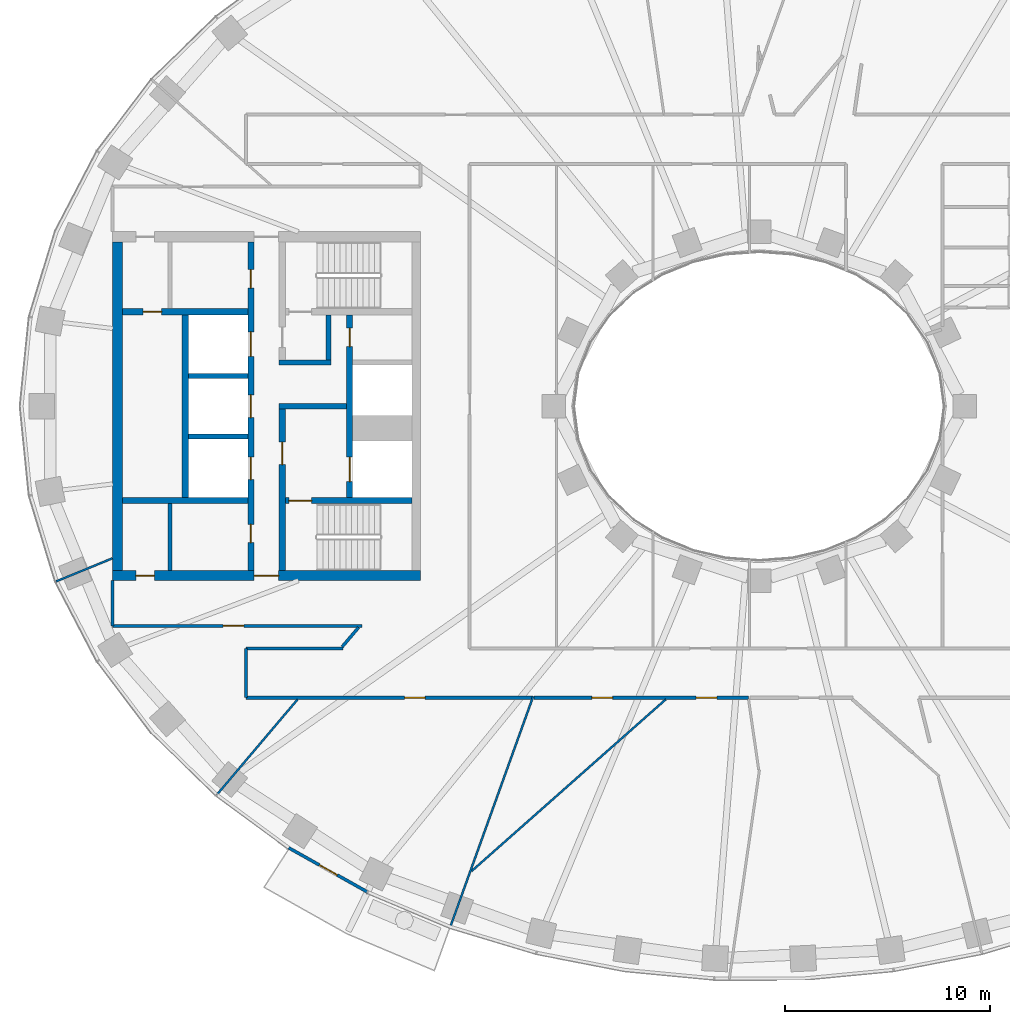
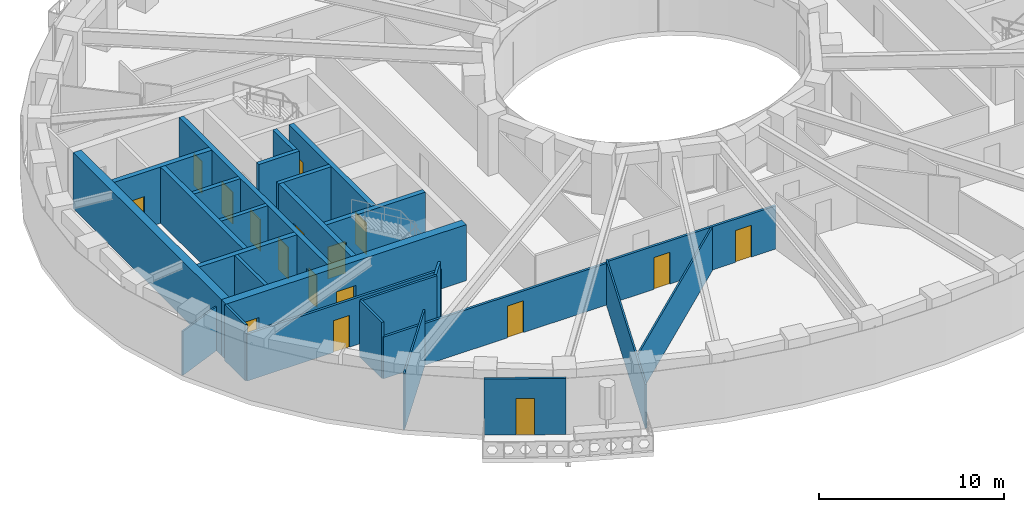
# One storey, part 3 of 15: 27 walls, 17 doors, 17 openings.
"""IFC4 building model written with IfcOpenShell, lengths in metres."""

import ifcopenshell
import ifcopenshell.guid

model = None  # the IFC model being written
_history = None  # IfcOwnerHistory: only IFC2X3 demands one
_inside = {}  # id of a spatial element -> (the spatial element, [elements in it])
_under = {}  # id of a project, library or spatial element -> (it, [spatial elements below it])
_declared = {}  # id of a project -> (the project, [libraries it declares])
_typed = {}  # id of a type object -> (the type object, [elements of that type])
_made_of = {}  # id of a material, layer set ... -> (it, [elements and type objects made of it])


def new_model(schema):
    """Start an empty IFC model of exactly this schema.

    Asked for "IFC4X3", IfcOpenShell would pick the latest addendum, in which some entities
    have other attributes; the version numbers below select the first issue.
    IFC2X3 requires an IfcOwnerHistory on every rooted entity: one is made here for all.
    """
    global model, _history
    if schema == "IFC4X3":
        model = ifcopenshell.file(schema_version=(4, 3, 0, 0))
    else:
        model = ifcopenshell.file(schema=schema)
    _inside.clear()
    _under.clear()
    _declared.clear()
    _typed.clear()
    _made_of.clear()
    _history = None
    if model.schema == "IFC2X3":
        org = make("IfcOrganization", Name="unknown")
        user = make(
            "IfcPersonAndOrganization",
            ThePerson=make("IfcPerson", FamilyName="unknown"),
            TheOrganization=org,
        )
        app = make(
            "IfcApplication",
            ApplicationDeveloper=org,
            Version="unknown",
            ApplicationFullName="unknown",
            ApplicationIdentifier="unknown",
        )
        _history = make(
            "IfcOwnerHistory",
            OwningUser=user,
            OwningApplication=app,
            ChangeAction="ADDED",
            CreationDate=0,
        )
    return model


def make(cls, **values):
    """One entity of the class cls with the attributes given. An attribute that is None is left unset."""
    return model.create_entity(
        cls, **{name: value for name, value in values.items() if value is not None}
    )


def rooted(cls, **values):
    """An entity with a GlobalId (a new one), such as an element, a storey or a relation."""
    return make(cls, GlobalId=ifcopenshell.guid.new(), OwnerHistory=_history, **values)


def si_unit(unit_type, name, prefix=None):
    """IfcSIUnit, for example si_unit("LENGTHUNIT", "METRE", prefix="MILLI")."""
    return make("IfcSIUnit", UnitType=unit_type, Prefix=prefix, Name=name)


def assignment(units):
    """IfcUnitAssignment: the units of a project."""
    return None if units is None else make("IfcUnitAssignment", Units=units)


def point(xyz):
    """IfcCartesianPoint."""
    return None if xyz is None else make("IfcCartesianPoint", Coordinates=xyz)


def direction(xyz):
    """IfcDirection."""
    return None if xyz is None else make("IfcDirection", DirectionRatios=xyz)


def frame(location, z_axis=None, x_axis=None):
    """IfcAxis2Placement3D, a coordinate frame: its origin and axes. An axis left out is left unset."""
    return make(
        "IfcAxis2Placement3D",
        Location=point(location),
        Axis=direction(z_axis),
        RefDirection=direction(x_axis),
    )


def frame_2d(location, x_axis=None):
    """IfcAxis2Placement2D, a coordinate frame in the plane: its origin and x axis."""
    return make(
        "IfcAxis2Placement2D", Location=point(location), RefDirection=direction(x_axis)
    )


def origin():
    """The frame at (0, 0, 0) with its axes left unset."""
    return frame((0.0, 0.0, 0.0))


def place(relative_to, where):
    """IfcLocalPlacement: puts the frame where relative to a parent placement (None: the world)."""
    return make(
        "IfcLocalPlacement", PlacementRelTo=relative_to, RelativePlacement=where
    )


def context(
    kind, dimensions, precision=None, world=None, true_north=None, identifier=None
):
    """IfcGeometricRepresentationContext, for example the 3D "Model" context."""
    return make(
        "IfcGeometricRepresentationContext",
        ContextIdentifier=identifier,
        ContextType=kind,
        CoordinateSpaceDimension=dimensions,
        Precision=precision,
        WorldCoordinateSystem=world,
        TrueNorth=true_north,
    )


def subcontext(parent, identifier, kind, view, scale=None):
    """IfcGeometricRepresentationSubContext, for example "Body" below "Model"."""
    return make(
        "IfcGeometricRepresentationSubContext",
        ContextIdentifier=identifier,
        ContextType=kind,
        ParentContext=parent,
        TargetScale=scale,
        TargetView=view,
    )


def project(units=None, contexts=None):
    """IfcProject with its units and contexts."""
    return rooted(
        "IfcProject",
        Name="project",
        RepresentationContexts=contexts,
        UnitsInContext=assignment(units),
    )


def spatial(cls, under=None, at=None, **own):
    """A site, building, storey or space (cls), placed at a placement, below another one or the project."""
    s = rooted(cls, ObjectPlacement=at, **own)
    if under is not None:
        _under.setdefault(under.id(), (under, []))[1].append(s)
    return s


def profile(cls, at=None, kind="AREA", **sizes):
    """A parametric profile (cls). Its sizes go by their IFC names, for example OverallWidth=200.0."""
    return make(cls, ProfileType=kind, Position=at, **sizes)


def rectangle(**sizes):
    """IfcRectangleProfileDef."""
    return profile("IfcRectangleProfileDef", **sizes)


def extrude(swept, where, along, depth):
    """IfcExtrudedAreaSolid: the profile swept, set in the frame where, extruded along a direction by depth."""
    return make(
        "IfcExtrudedAreaSolid",
        SweptArea=swept,
        Position=where,
        ExtrudedDirection=direction(along),
        Depth=depth,
    )


def shape(context_of_items, identifier, shape_type, items):
    """IfcShapeRepresentation: the items that make up one representation, for example the "Body"."""
    return make(
        "IfcShapeRepresentation",
        ContextOfItems=context_of_items,
        RepresentationIdentifier=identifier,
        RepresentationType=shape_type,
        Items=items,
    )


def material(Name=None, Category=None):
    """IfcMaterial."""
    return make("IfcMaterial", Name=Name, Category=Category)


def layer(
    of_material, thickness, ventilated=None, Name=None, Category=None, Priority=None
):
    """IfcMaterialLayer: one layer of a wall or slab, of a material (None: an air gap)."""
    return make(
        "IfcMaterialLayer",
        Material=of_material,
        LayerThickness=thickness,
        IsVentilated=ventilated,
        Name=Name,
        Category=Category,
        Priority=Priority,
    )


def layer_set(layers, Name=None):
    """IfcMaterialLayerSet."""
    return make("IfcMaterialLayerSet", MaterialLayers=layers, LayerSetName=Name)


def made_of(thing, what):
    """Note that an element or type object is made of a material, layer set ...; save() writes the relation."""
    if what is not None:
        _made_of.setdefault(what.id(), (what, []))[1].append(thing)
    return thing


def type_object(cls, material=None, **own):
    """A type object (cls), such as IfcWallType, which elements share."""
    return made_of(rooted(cls, **own), material)


def element(
    cls,
    number,
    at=None,
    inside=None,
    cuts=None,
    type_object=None,
    material=None,
    context=None,
    identifier="Body",
    shape_type=None,
    held_by="IfcProductDefinitionShape",
    body=None,
    shapes=None,
    **own,
):
    """One element of the class cls, such as IfcWall. Its Tag is "e" and its number.

    at: its placement. inside: the storey or other place that contains it. cuts: it is an
    opening in that element (IfcRelVoidsElement). A single representation is given by context,
    identifier, shape_type and body (its items); several are given by shapes. held_by: the class
    of the entity that holds the representations. save() writes the other relations.
    """
    e = rooted(cls, Tag="e%d" % number, ObjectPlacement=at, **own)
    if body is not None:
        shapes = [shape(context, identifier, shape_type, body)]
    if shapes is not None:
        e.Representation = make(held_by, Representations=shapes)
    if inside is not None:
        _inside.setdefault(inside.id(), (inside, []))[1].append(e)
    if cuts is not None:
        rooted(
            "IfcRelVoidsElement", RelatingBuildingElement=cuts, RelatedOpeningElement=e
        )
    if type_object is not None:
        _typed.setdefault(type_object.id(), (type_object, []))[1].append(e)
    return made_of(e, material)


def fill(opening, filler):
    """IfcRelFillsElement: the door or window that sits in an opening."""
    return rooted(
        "IfcRelFillsElement",
        RelatingOpeningElement=opening,
        RelatedBuildingElement=filler,
    )


def aggregate(whole, parts):
    """IfcRelAggregates: a whole, such as a stair, and the parts it consists of."""
    return rooted("IfcRelAggregates", RelatingObject=whole, RelatedObjects=parts)


def save(model, path):
    """Write the relations noted so far, then the file.

    IfcRelAggregates (storeys below a building ...), IfcRelContainedInSpatialStructure (elements
    in a storey), IfcRelDefinesByType, IfcRelAssociatesMaterial and IfcRelDeclares: one each for
    every whole, place, type object, material and project.
    """
    for whole, parts in _under.values():
        aggregate(whole, parts)
    for where, things in _inside.values():
        rooted(
            "IfcRelContainedInSpatialStructure",
            RelatedElements=things,
            RelatingStructure=where,
        )
    for kind, things in _typed.values():
        rooted("IfcRelDefinesByType", RelatedObjects=things, RelatingType=kind)
    for what, things in _made_of.values():
        rooted("IfcRelAssociatesMaterial", RelatedObjects=things, RelatingMaterial=what)
    for by, libraries in _declared.values():
        rooted("IfcRelDeclares", RelatingContext=by, RelatedDefinitions=libraries)
    model.write(path)


model = new_model("IFC4")

# Units and contexts
model_context = context("Model", 3, precision=1e-05, world=origin(), true_north=direction((0.0, 1.0)))
body_context = subcontext(model_context, "Body", "Model", "MODEL_VIEW")
ifc_project = project(units=[si_unit("LENGTHUNIT", "METRE"), si_unit("AREAUNIT", "SQUARE_METRE"), si_unit("VOLUMEUNIT", "CUBIC_METRE"), si_unit("PLANEANGLEUNIT", "RADIAN"), si_unit("MASSUNIT", "GRAM", prefix="KILO")], contexts=[model_context])

# Site, building, storey
site_placement = place(None, origin())
site = spatial("IfcSite", under=ifc_project, at=site_placement, CompositionType="ELEMENT")
building_placement = place(site_placement, origin())
building = spatial("IfcBuilding", under=site, at=building_placement, Name="Noorbagh Ring Tower", CompositionType="ELEMENT")
storey_placement = place(building_placement, frame((0.0, 0.0, 128.0)))
storey = spatial("IfcBuildingStorey", under=building, at=storey_placement, Name="L29", CompositionType="ELEMENT", Elevation=128.0)

# Walls
ifc_material_1 = material(Name="Gypsum board on steel studs", Category="steel")
ifc_layer_1 = layer(ifc_material_1, 0.199951171875)
ifc_layer_set_1 = layer_set([ifc_layer_1], Name="Gypsum board on steel studs")
wall_type_1 = type_object("IfcWallType", Name="CORE-PARTITION-200", PredefinedType="PARTITIONING", material=ifc_layer_set_1)
wall_1_placement = place(storey_placement, frame((-28.699951171875, -8.0, 0.0), z_axis=(0.0, 0.0, 1.0), x_axis=(0.0, 1.0, 0.0)))
element("IfcWall", 1, at=wall_1_placement, inside=storey, type_object=wall_type_1, Name="Core partition W", PredefinedType="PARTITIONING", context=body_context, shape_type="SweptSolid", body=[
    extrude(rectangle(XDim=3.25, YDim=0.199951171875, at=frame_2d((1.625, 0.0))), origin(), (0.0, 0.0, 1.0), 3.699951171875),
])
ifc_material_2 = material(Name="Concrete C70/85", Category="concrete")
ifc_layer_2 = layer(ifc_material_2, 0.25)
ifc_layer_set_2 = layer_set([ifc_layer_2], Name="Concrete C70/85")
wall_type_2 = type_object("IfcWallType", Name="CORE-WALL-250-C70-85-EI120", PredefinedType="SHEAR", material=ifc_layer_set_2)
for number, where, z_axis, x_axis, name in (
    (2, (-24.89990234375, -1.47509765625, 0.0), (0.0, 0.0, 1.0), (-1.0, 0.0, 0.0), "Core wall W"),
    (3, (-24.89990234375, 1.47509765625, 0.0), (0.0, 0.0, 1.0), (-1.0, 0.0, 0.0), "Core wall W"),
):
    element("IfcWall", number, at=place(storey_placement, frame(where, z_axis=z_axis, x_axis=x_axis)), inside=storey, type_object=wall_type_2, Name=name, PredefinedType="SHEAR", context=body_context, shape_type="SweptSolid", body=[
        extrude(rectangle(XDim=2.900146484375, YDim=0.25, at=frame_2d((1.4501953125, 0.0))), origin(), (0.0, 0.0, 1.0), 3.699951171875),
    ])
ifc_material_3 = material(Name="Concrete C70/85", Category="concrete")
ifc_layer_3 = layer(ifc_material_3, 0.25)
ifc_layer_set_3 = layer_set([ifc_layer_3], Name="Concrete C70/85")
wall_type_3 = type_object("IfcWallType", Name="CORE-WALL-250-C70-85-EI240", PredefinedType="SHEAR", material=ifc_layer_set_3)
wall_2_placement = place(storey_placement, frame((-20.10009765625, 0.0, 0.0), z_axis=(0.0, 0.0, 1.0), x_axis=(-1.0, 0.0, 0.0)))
element("IfcWall", 4, at=wall_2_placement, inside=storey, type_object=wall_type_3, Name="Core wall W", PredefinedType="SHEAR", context=body_context, shape_type="SweptSolid", body=[
    extrude(rectangle(XDim=3.27978515625, YDim=0.25, at=frame_2d((1.639892578125, 0.0))), origin(), (0.0, 0.0, 1.0), 3.699951171875),
])
wall_3_placement = place(storey_placement, frame((-20.85009765625, 2.125, 0.0), z_axis=(0.0, 0.0, 1.0), x_axis=(-1.0, 0.0, 0.0)))
element("IfcWall", 5, at=wall_3_placement, inside=storey, type_object=wall_type_3, Name="Core wall W", PredefinedType="SHEAR", context=body_context, shape_type="SweptSolid", body=[
    extrude(rectangle(XDim=2.52978515625, YDim=0.25, at=frame_2d((1.264892578125, 0.0))), origin(), (0.0, 0.0, 1.0), 3.699951171875),
])
wall_4_placement = place(storey_placement, frame((-20.97509765625, 2.25, 0.0), z_axis=(0.0, 0.0, 1.0), x_axis=(0.0, 1.0, 0.0)))
element("IfcWall", 6, at=wall_4_placement, inside=storey, type_object=wall_type_3, Name="Core wall W", PredefinedType="SHEAR", context=body_context, shape_type="SweptSolid", body=[
    extrude(rectangle(XDim=2.199951171875, YDim=0.25, at=frame_2d((1.10009765625, 0.0))), origin(), (0.0, 0.0, 1.0), 3.699951171875),
])
ifc_material_4 = material(Name="Concrete C70/85", Category="concrete")
ifc_layer_4 = layer(ifc_material_4, 0.300048828125)
ifc_layer_set_4 = layer_set([ifc_layer_4], Name="Concrete C70/85")
wall_type_4 = type_object("IfcWallType", Name="CORE-WALL-300-C70-85-EI120", PredefinedType="SHEAR", material=ifc_layer_set_4)
wall_5_placement = place(storey_placement, frame((-27.949951171875, -4.449951171875, 0.0), z_axis=(0.0, 0.0, 1.0), x_axis=(0.0, 1.0, 0.0)))
element("IfcWall", 7, at=wall_5_placement, inside=storey, type_object=wall_type_4, Name="Core wall W", PredefinedType="SHEAR", context=body_context, shape_type="SweptSolid", body=[
    extrude(rectangle(XDim=8.89990234375, YDim=0.300048828125, at=frame_2d((4.449951171875, 0.0))), origin(), (0.0, 0.0, 1.0), 3.699951171875),
])

# Wall, openings, doors
wall_6_placement = place(storey_placement, frame((-19.949951171875, -4.449951171875, 0.0), z_axis=(0.0, 0.0, 1.0), x_axis=(0.0, 1.0, 0.0)))
wall_6 = element("IfcWall", 8, at=wall_6_placement, inside=storey, type_object=wall_type_4, Name="Core wall W", PredefinedType="SHEAR", context=body_context, shape_type="SweptSolid", body=[
    extrude(rectangle(XDim=8.89990234375, YDim=0.300048828125, at=frame_2d((4.449951171875, 0.0))), origin(), (0.0, 0.0, 1.0), 3.699951171875),
])
opening_1_placement = place(wall_6_placement, frame((0.77490234375, 0.0, 0.0)))
opening_1 = element("IfcOpeningElement", 9, at=opening_1_placement, cuts=wall_6, Name="Opening L29-CW01", PredefinedType="OPENING", context=body_context, shape_type="SweptSolid", body=[
    extrude(rectangle(XDim=1.199951171875, YDim=2.10009765625, at=frame_2d((0.60009765625, 1.050048828125))), frame((0.0, 0.16015625, 0.0), z_axis=(0.0, -1.0, 0.0), x_axis=(1.0, 0.0, 0.0)), (0.0, 0.0, 1.0), 0.320068359375),
])
opening_2_placement = place(wall_6_placement, frame((7.35009765625, 0.0, 0.0)))
opening_2 = element("IfcOpeningElement", 10, at=opening_2_placement, cuts=wall_6, Name="Opening L29-CW11", PredefinedType="OPENING", context=body_context, shape_type="SweptSolid", body=[
    extrude(rectangle(XDim=0.89990234375, YDim=2.10009765625, at=frame_2d((0.449951171875, 1.050048828125))), frame((0.0, 0.16015625, 0.0), z_axis=(0.0, -1.0, 0.0), x_axis=(1.0, 0.0, 0.0)), (0.0, 0.0, 1.0), 0.320068359375),
])
ifc_material_5 = material(Name="Steel door leaf", Category="steel")
door_type_1 = type_object("IfcDoorType", Name="CORE-DOOR-DROOM", OperationType="SINGLE_SWING_LEFT", PredefinedType="DOOR", material=ifc_material_5)
door_1_placement = place(opening_2_placement, origin())
door_1 = element("IfcDoor", 11, at=door_1_placement, inside=storey, type_object=door_type_1, Name="Core room door L29-CW11", OperationType="SINGLE_SWING_LEFT", OverallHeight=2.10009765625, OverallWidth=0.89990234375, PredefinedType="DOOR", context=body_context, shape_type="SweptSolid", body=[
    extrude(rectangle(XDim=0.89990234375, YDim=2.10009765625, at=frame_2d((0.449951171875, 1.050048828125))), frame((0.0, 0.02490234375, 0.0), z_axis=(0.0, -1.0, 0.0), x_axis=(1.0, 0.0, 0.0)), (0.0, 0.0, 1.0), 0.050048828125),
])
fill(opening_2, door_1)
ifc_material_6 = material(Name="Steel door leaf", Category="steel")
door_type_2 = type_object("IfcDoorType", Name="CORE-DOOR-LDW", OperationType="DOUBLE_DOOR_SLIDING", PredefinedType="DOOR", material=ifc_material_6)
door_2_placement = place(opening_1_placement, origin())
door_2 = element("IfcDoor", 12, at=door_2_placement, inside=storey, type_object=door_type_2, Name="Landing door FF1 L29-CW01", OperationType="DOUBLE_DOOR_SLIDING", OverallHeight=2.10009765625, OverallWidth=1.199951171875, PredefinedType="DOOR", context=body_context, shape_type="SweptSolid", body=[
    extrude(rectangle(XDim=1.199951171875, YDim=2.10009765625, at=frame_2d((0.60009765625, 1.050048828125))), frame((0.0, 0.02490234375, 0.0), z_axis=(0.0, -1.0, 0.0), x_axis=(1.0, 0.0, 0.0)), (0.0, 0.0, 1.0), 0.050048828125),
])
fill(opening_1, door_2)

wall_7_placement = place(storey_placement, frame((-24.75, -8.0, 0.0), z_axis=(0.0, 0.0, 1.0), x_axis=(0.0, 1.0, 0.0)))
wall_7 = element("IfcWall", 13, at=wall_7_placement, inside=storey, type_object=wall_type_4, Name="Core wall W", PredefinedType="SHEAR", context=body_context, shape_type="SweptSolid", body=[
    extrude(rectangle(XDim=16.0, YDim=0.300048828125, at=frame_2d((8.0, 0.0))), origin(), (0.0, 0.0, 1.0), 3.699951171875),
])
opening_3_placement = place(wall_7_placement, frame((4.425048828125, 0.0, 0.0)))
opening_3 = element("IfcOpeningElement", 14, at=opening_3_placement, cuts=wall_7, Name="Opening L29-CW02", PredefinedType="OPENING", context=body_context, shape_type="SweptSolid", body=[
    extrude(rectangle(XDim=1.10009765625, YDim=2.10009765625, at=frame_2d((0.550048828125, 1.050048828125))), frame((0.0, 0.16015625, 0.0), z_axis=(0.0, -1.0, 0.0), x_axis=(1.0, 0.0, 0.0)), (0.0, 0.0, 1.0), 0.320068359375),
])
opening_4_placement = place(wall_7_placement, frame((7.449951171875, 0.0, 0.0)))
opening_4 = element("IfcOpeningElement", 15, at=opening_4_placement, cuts=wall_7, Name="Opening L29-CW03", PredefinedType="OPENING", context=body_context, shape_type="SweptSolid", body=[
    extrude(rectangle(XDim=1.10009765625, YDim=2.10009765625, at=frame_2d((0.550048828125, 1.050048828125))), frame((0.0, 0.16015625, 0.0), z_axis=(0.0, -1.0, 0.0), x_axis=(1.0, 0.0, 0.0)), (0.0, 0.0, 1.0), 0.320068359375),
])
opening_5_placement = place(wall_7_placement, frame((10.425048828125, 0.0, 0.0)))
opening_5 = element("IfcOpeningElement", 16, at=opening_5_placement, cuts=wall_7, Name="Opening L29-CW04", PredefinedType="OPENING", context=body_context, shape_type="SweptSolid", body=[
    extrude(rectangle(XDim=1.199951171875, YDim=2.10009765625, at=frame_2d((0.60009765625, 1.050048828125))), frame((0.0, 0.16015625, 0.0), z_axis=(0.0, -1.0, 0.0), x_axis=(1.0, 0.0, 0.0)), (0.0, 0.0, 1.0), 0.320068359375),
])
opening_6_placement = place(wall_7_placement, frame((13.75, 0.0, 0.0)))
opening_6 = element("IfcOpeningElement", 17, at=opening_6_placement, cuts=wall_7, Name="Opening L29-CW12", PredefinedType="OPENING", context=body_context, shape_type="SweptSolid", body=[
    extrude(rectangle(XDim=0.89990234375, YDim=2.10009765625, at=frame_2d((0.449951171875, 1.050048828125))), frame((0.0, 0.16015625, 0.0), z_axis=(0.0, -1.0, 0.0), x_axis=(1.0, 0.0, 0.0)), (0.0, 0.0, 1.0), 0.320068359375),
])
opening_7_placement = place(wall_7_placement, frame((1.35009765625, 0.0, 0.0)))
opening_7 = element("IfcOpeningElement", 18, at=opening_7_placement, cuts=wall_7, Name="Opening L29-CW14", PredefinedType="OPENING", context=body_context, shape_type="SweptSolid", body=[
    extrude(rectangle(XDim=0.89990234375, YDim=2.10009765625, at=frame_2d((0.449951171875, 1.050048828125))), frame((0.0, 0.16015625, 0.0), z_axis=(0.0, -1.0, 0.0), x_axis=(1.0, 0.0, 0.0)), (0.0, 0.0, 1.0), 0.320068359375),
])
door_3_placement = place(opening_6_placement, origin())
door_3 = element("IfcDoor", 19, at=door_3_placement, inside=storey, type_object=door_type_1, Name="Core room door L29-CW12", OperationType="SINGLE_SWING_RIGHT", OverallHeight=2.10009765625, OverallWidth=0.89990234375, PredefinedType="DOOR", context=body_context, shape_type="SweptSolid", body=[
    extrude(rectangle(XDim=0.89990234375, YDim=2.10009765625, at=frame_2d((0.449951171875, 1.050048828125))), frame((0.0, 0.02490234375, 0.0), z_axis=(0.0, -1.0, 0.0), x_axis=(1.0, 0.0, 0.0)), (0.0, 0.0, 1.0), 0.050048828125),
])
fill(opening_6, door_3)
door_4_placement = place(opening_7_placement, origin())
door_4 = element("IfcDoor", 20, at=door_4_placement, inside=storey, type_object=door_type_1, Name="Core room door L29-CW14", OperationType="SINGLE_SWING_LEFT", OverallHeight=2.10009765625, OverallWidth=0.89990234375, PredefinedType="DOOR", context=body_context, shape_type="SweptSolid", body=[
    extrude(rectangle(XDim=0.89990234375, YDim=2.10009765625, at=frame_2d((0.449951171875, 1.050048828125))), frame((0.0, 0.02490234375, 0.0), z_axis=(0.0, -1.0, 0.0), x_axis=(1.0, 0.0, 0.0)), (0.0, 0.0, 1.0), 0.050048828125),
])
fill(opening_7, door_4)
ifc_material_7 = material(Name="Steel door leaf", Category="steel")
door_type_3 = type_object("IfcDoorType", Name="CORE-DOOR-LD", OperationType="DOUBLE_DOOR_SLIDING", PredefinedType="DOOR", material=ifc_material_7)
door_5_placement = place(opening_3_placement, origin())
door_5 = element("IfcDoor", 21, at=door_5_placement, inside=storey, type_object=door_type_3, Name="Landing door LR1 L29-CW02", OperationType="DOUBLE_DOOR_SLIDING", OverallHeight=2.10009765625, OverallWidth=1.10009765625, PredefinedType="DOOR", context=body_context, shape_type="SweptSolid", body=[
    extrude(rectangle(XDim=1.10009765625, YDim=2.10009765625, at=frame_2d((0.550048828125, 1.050048828125))), frame((0.0, 0.02490234375, 0.0), z_axis=(0.0, -1.0, 0.0), x_axis=(1.0, 0.0, 0.0)), (0.0, 0.0, 1.0), 0.050048828125),
])
fill(opening_3, door_5)
door_6_placement = place(opening_4_placement, origin())
door_6 = element("IfcDoor", 22, at=door_6_placement, inside=storey, type_object=door_type_3, Name="Landing door LR2 L29-CW03", OperationType="DOUBLE_DOOR_SLIDING", OverallHeight=2.10009765625, OverallWidth=1.10009765625, PredefinedType="DOOR", context=body_context, shape_type="SweptSolid", body=[
    extrude(rectangle(XDim=1.10009765625, YDim=2.10009765625, at=frame_2d((0.550048828125, 1.050048828125))), frame((0.0, 0.02490234375, 0.0), z_axis=(0.0, -1.0, 0.0), x_axis=(1.0, 0.0, 0.0)), (0.0, 0.0, 1.0), 0.050048828125),
])
fill(opening_4, door_6)
door_7_placement = place(opening_5_placement, origin())
door_7 = element("IfcDoor", 23, at=door_7_placement, inside=storey, type_object=door_type_2, Name="Landing door SV1 L29-CW04", OperationType="DOUBLE_DOOR_SLIDING", OverallHeight=2.10009765625, OverallWidth=1.199951171875, PredefinedType="DOOR", context=body_context, shape_type="SweptSolid", body=[
    extrude(rectangle(XDim=1.199951171875, YDim=2.10009765625, at=frame_2d((0.60009765625, 1.050048828125))), frame((0.0, 0.02490234375, 0.0), z_axis=(0.0, -1.0, 0.0), x_axis=(1.0, 0.0, 0.0)), (0.0, 0.0, 1.0), 0.050048828125),
])
fill(opening_5, door_7)

# Wall, opening, door
ifc_material_8 = material(Name="Concrete C70/85", Category="concrete")
ifc_layer_5 = layer(ifc_material_8, 0.300048828125)
ifc_layer_set_5 = layer_set([ifc_layer_5], Name="Concrete C70/85")
wall_type_5 = type_object("IfcWallType", Name="CORE-WALL-300-C70-85-EI240", PredefinedType="SHEAR", material=ifc_layer_set_5)
wall_8_placement = place(storey_placement, frame((-24.89990234375, 4.60009765625, 0.0), z_axis=(0.0, 0.0, 1.0), x_axis=(-1.0, 0.0, 0.0)))
wall_8 = element("IfcWall", 24, at=wall_8_placement, inside=storey, type_object=wall_type_5, Name="Core wall W", PredefinedType="SHEAR", context=body_context, shape_type="SweptSolid", body=[
    extrude(rectangle(XDim=6.10009765625, YDim=0.300048828125, at=frame_2d((3.050048828125, 0.0))), origin(), (0.0, 0.0, 1.0), 3.699951171875),
])
opening_8_placement = place(wall_8_placement, frame((4.199951171875, 0.0, 0.0)))
opening_8 = element("IfcOpeningElement", 25, at=opening_8_placement, cuts=wall_8, Name="Opening L29-CW16", PredefinedType="OPENING", context=body_context, shape_type="SweptSolid", body=[
    extrude(rectangle(XDim=0.89990234375, YDim=2.10009765625, at=frame_2d((0.449951171875, 1.050048828125))), frame((0.0, 0.16015625, 0.0), z_axis=(0.0, -1.0, 0.0), x_axis=(1.0, 0.0, 0.0)), (0.0, 0.0, 1.0), 0.320068359375),
])
door_8_placement = place(opening_8_placement, origin())
door_8 = element("IfcDoor", 26, at=door_8_placement, inside=storey, type_object=door_type_1, Name="Core room door L29-CW16", OperationType="SINGLE_SWING_LEFT", OverallHeight=2.10009765625, OverallWidth=0.89990234375, PredefinedType="DOOR", context=body_context, shape_type="SweptSolid", body=[
    extrude(rectangle(XDim=0.89990234375, YDim=2.10009765625, at=frame_2d((0.449951171875, 1.050048828125))), frame((0.0, 0.02490234375, 0.0), z_axis=(0.0, -1.0, 0.0), x_axis=(1.0, 0.0, 0.0)), (0.0, 0.0, 1.0), 0.050048828125),
])
fill(opening_8, door_8)

# Wall
wall_9_placement = place(storey_placement, frame((-24.89990234375, -4.60009765625, 0.0), z_axis=(0.0, 0.0, 1.0), x_axis=(-1.0, 0.0, 0.0)))
element("IfcWall", 27, at=wall_9_placement, inside=storey, type_object=wall_type_5, Name="Core wall W", PredefinedType="SHEAR", context=body_context, shape_type="SweptSolid", body=[
    extrude(rectangle(XDim=6.10009765625, YDim=0.300048828125, at=frame_2d((3.050048828125, 0.0))), origin(), (0.0, 0.0, 1.0), 3.699951171875),
])

# Wall, opening, door
wall_10_placement = place(storey_placement, frame((-23.22998046875, -8.0, 0.0), z_axis=(0.0, 0.0, 1.0), x_axis=(0.0, 1.0, 0.0)))
wall_10 = element("IfcWall", 28, at=wall_10_placement, inside=storey, type_object=wall_type_5, Name="Core wall W", PredefinedType="SHEAR", context=body_context, shape_type="SweptSolid", body=[
    extrude(rectangle(XDim=7.875, YDim=0.300048828125, at=frame_2d((3.9375, 0.0))), origin(), (0.0, 0.0, 1.0), 3.699951171875),
])
opening_9_placement = place(wall_10_placement, frame((5.14990234375, 0.0, 0.0)))
opening_9 = element("IfcOpeningElement", 29, at=opening_9_placement, cuts=wall_10, Name="Opening L29-CW07", PredefinedType="OPENING", context=body_context, shape_type="SweptSolid", body=[
    extrude(rectangle(XDim=1.10009765625, YDim=2.10009765625, at=frame_2d((0.550048828125, 1.050048828125))), frame((0.0, 0.16015625, 0.0), z_axis=(0.0, -1.0, 0.0), x_axis=(1.0, 0.0, 0.0)), (0.0, 0.0, 1.0), 0.320068359375),
])
ifc_material_9 = material(Name="Steel door leaf", Category="steel")
door_type_4 = type_object("IfcDoorType", Name="CORE-DOOR-DFF", OperationType="SINGLE_SWING_LEFT", PredefinedType="DOOR", material=ifc_material_9)
door_9_placement = place(opening_9_placement, origin())
door_9 = element("IfcDoor", 30, at=door_9_placement, inside=storey, type_object=door_type_4, Name="Firefighting lobby door L29-CW07", OperationType="SINGLE_SWING_LEFT", OverallHeight=2.10009765625, OverallWidth=1.10009765625, PredefinedType="DOOR", context=body_context, shape_type="SweptSolid", body=[
    extrude(rectangle(XDim=1.10009765625, YDim=2.10009765625, at=frame_2d((0.550048828125, 1.050048828125))), frame((0.0, 0.02490234375, 0.0), z_axis=(0.0, -1.0, 0.0), x_axis=(1.0, 0.0, 0.0)), (0.0, 0.0, 1.0), 0.050048828125),
])
fill(opening_9, door_9)

wall_11_placement = place(storey_placement, frame((-16.89990234375, -4.60009765625, 0.0), z_axis=(0.0, 0.0, 1.0), x_axis=(-1.0, 0.0, 0.0)))
wall_11 = element("IfcWall", 31, at=wall_11_placement, inside=storey, type_object=wall_type_5, Name="Core wall W", PredefinedType="SHEAR", context=body_context, shape_type="SweptSolid", body=[
    extrude(rectangle(XDim=6.18017578125, YDim=0.300048828125, at=frame_2d((3.090087890625, 0.0))), origin(), (0.0, 0.0, 1.0), 3.699951171875),
])
opening_10_placement = place(wall_11_placement, frame((4.89990234375, 0.0, 0.0)))
opening_10 = element("IfcOpeningElement", 32, at=opening_10_placement, cuts=wall_11, Name="Opening L29-CW06", PredefinedType="OPENING", context=body_context, shape_type="SweptSolid", body=[
    extrude(rectangle(XDim=1.10009765625, YDim=2.10009765625, at=frame_2d((0.550048828125, 1.050048828125))), frame((0.0, 0.16015625, 0.0), z_axis=(0.0, -1.0, 0.0), x_axis=(1.0, 0.0, 0.0)), (0.0, 0.0, 1.0), 0.320068359375),
])
ifc_material_10 = material(Name="Steel door leaf", Category="steel")
door_type_5 = type_object("IfcDoorType", Name="CORE-DOOR-DSTAIR", OperationType="SINGLE_SWING_LEFT", PredefinedType="DOOR", material=ifc_material_10)
door_10_placement = place(opening_10_placement, origin())
door_10 = element("IfcDoor", 33, at=door_10_placement, inside=storey, type_object=door_type_5, Name="Stair door ST2 L29-CW06", OperationType="SINGLE_SWING_LEFT", OverallHeight=2.10009765625, OverallWidth=1.10009765625, PredefinedType="DOOR", context=body_context, shape_type="SweptSolid", body=[
    extrude(rectangle(XDim=1.10009765625, YDim=2.10009765625, at=frame_2d((0.550048828125, 1.050048828125))), frame((0.0, 0.02490234375, 0.0), z_axis=(0.0, -1.0, 0.0), x_axis=(1.0, 0.0, 0.0)), (0.0, 0.0, 1.0), 0.050048828125),
])
fill(opening_10, door_10)

# Wall, openings, doors
ifc_material_11 = material(Name="Concrete C70/85", Category="concrete")
ifc_layer_6 = layer(ifc_material_11, 0.5)
ifc_layer_set_6 = layer_set([ifc_layer_6], Name="Concrete C70/85")
wall_type_6 = type_object("IfcWallType", Name="CORE-WALL-500-C70-85-EI240", PredefinedType="SHEAR", material=ifc_layer_set_6)
wall_12_placement = place(storey_placement, frame((-16.5, -8.25, 0.0), z_axis=(0.0, 0.0, 1.0), x_axis=(-1.0, 0.0, 0.0)))
wall_12 = element("IfcWall", 34, at=wall_12_placement, inside=storey, type_object=wall_type_6, Name="Core wall W", PredefinedType="SHEAR", context=body_context, shape_type="SweptSolid", body=[
    extrude(rectangle(XDim=15.0, YDim=0.5, at=frame_2d((7.5, 0.0))), origin(), (0.0, 0.0, 1.0), 3.699951171875),
])
opening_11_placement = place(wall_12_placement, frame((6.89990234375, 0.0, 0.0)))
opening_11 = element("IfcOpeningElement", 35, at=opening_11_placement, cuts=wall_12, Name="Opening L29-CW10", PredefinedType="OPENING", context=body_context, shape_type="SweptSolid", body=[
    extrude(rectangle(XDim=1.199951171875, YDim=2.10009765625, at=frame_2d((0.60009765625, 1.050048828125))), frame((0.0, 0.260009765625, 0.0), z_axis=(0.0, -1.0, 0.0), x_axis=(1.0, 0.0, 0.0)), (0.0, 0.0, 1.0), 0.52001953125),
])
opening_12_placement = place(wall_12_placement, frame((12.949951171875, 0.0, 0.0)))
opening_12 = element("IfcOpeningElement", 36, at=opening_12_placement, cuts=wall_12, Name="Opening L29-CW15", PredefinedType="OPENING", context=body_context, shape_type="SweptSolid", body=[
    extrude(rectangle(XDim=0.89990234375, YDim=2.10009765625, at=frame_2d((0.449951171875, 1.050048828125))), frame((0.0, 0.260009765625, 0.0), z_axis=(0.0, -1.0, 0.0), x_axis=(1.0, 0.0, 0.0)), (0.0, 0.0, 1.0), 0.52001953125),
])
door_11_placement = place(opening_12_placement, origin())
door_11 = element("IfcDoor", 37, at=door_11_placement, inside=storey, type_object=door_type_1, Name="Core room door L29-CW15", OperationType="SINGLE_SWING_LEFT", OverallHeight=2.10009765625, OverallWidth=0.89990234375, PredefinedType="DOOR", context=body_context, shape_type="SweptSolid", body=[
    extrude(rectangle(XDim=0.89990234375, YDim=2.10009765625, at=frame_2d((0.449951171875, 1.050048828125))), frame((0.0, 0.02490234375, 0.0), z_axis=(0.0, -1.0, 0.0), x_axis=(1.0, 0.0, 0.0)), (0.0, 0.0, 1.0), 0.050048828125),
])
fill(opening_12, door_11)
ifc_material_12 = material(Name="Steel door leaf", Category="steel")
door_type_6 = type_object("IfcDoorType", Name="CORE-DOOR-PORT", OperationType="DOUBLE_DOOR_DOUBLE_SWING", PredefinedType="DOOR", material=ifc_material_12)
door_12_placement = place(opening_11_placement, origin())
door_12 = element("IfcDoor", 38, at=door_12_placement, inside=storey, type_object=door_type_6, Name="Core entrance door L29-CW10", OperationType="DOUBLE_DOOR_DOUBLE_SWING", OverallHeight=2.10009765625, OverallWidth=1.199951171875, PredefinedType="DOOR", context=body_context, shape_type="SweptSolid", body=[
    extrude(rectangle(XDim=1.199951171875, YDim=2.10009765625, at=frame_2d((0.60009765625, 1.050048828125))), frame((0.0, 0.02490234375, 0.0), z_axis=(0.0, -1.0, 0.0), x_axis=(1.0, 0.0, 0.0)), (0.0, 0.0, 1.0), 0.050048828125),
])
fill(opening_11, door_12)

# Walls
wall_13_placement = place(storey_placement, frame((-31.25, -8.0, 0.0), z_axis=(0.0, 0.0, 1.0), x_axis=(0.0, 1.0, 0.0)))
element("IfcWall", 39, at=wall_13_placement, inside=storey, type_object=wall_type_6, Name="Core wall W", PredefinedType="SHEAR", context=body_context, shape_type="SweptSolid", body=[
    extrude(rectangle(XDim=16.0, YDim=0.5, at=frame_2d((8.0, 0.0))), origin(), (0.0, 0.0, 1.0), 3.699951171875),
])
ifc_material_13 = material(Name="Gypsum board on steel studs", Category="steel")
ifc_layer_7 = layer(ifc_material_13, 0.14990234375)
ifc_layer_set_7 = layer_set([ifc_layer_7], Name="Gypsum board on steel studs")
wall_type_7 = type_object("IfcWallType", Name="CORRIDOR PARTITION 150 EI 30", PredefinedType="PARTITIONING", material=ifc_layer_set_7)
wall_14_placement = place(storey_placement, frame((-31.5, -10.699951171875, 0.0), z_axis=(0.0, 0.0, 1.0), x_axis=(0.0, 1.0, 0.0)))
element("IfcWall", 40, at=wall_14_placement, inside=storey, type_object=wall_type_7, Name="L29/wall/P02", PredefinedType="PARTITIONING", context=body_context, shape_type="SweptSolid", body=[
    extrude(rectangle(XDim=2.199951171875, YDim=0.14990234375, at=frame_2d((1.10009765625, 0.0))), origin(), (0.0, 0.0, 1.0), 3.699951171875),
])

# Wall, opening, door
wall_15_placement = place(storey_placement, frame((-31.5, -10.699951171875, 0.0), z_axis=(0.0, 0.0, 1.0), x_axis=(1.0, 0.0, 0.0)))
wall_15 = element("IfcWall", 41, at=wall_15_placement, inside=storey, type_object=wall_type_7, Name="L29/wall/P03", PredefinedType="PARTITIONING", context=body_context, shape_type="SweptSolid", body=[
    extrude(rectangle(XDim=12.14697265625, YDim=0.14990234375, at=frame_2d((6.073486328125, 0.0))), origin(), (0.0, 0.0, 1.0), 3.10009765625),
])
opening_13_placement = place(wall_15_placement, frame((5.39990234375, 0.0, 0.0)))
opening_13 = element("IfcOpeningElement", 42, at=opening_13_placement, cuts=wall_15, Name="Opening D1", PredefinedType="OPENING", context=body_context, shape_type="SweptSolid", body=[
    extrude(rectangle(XDim=1.0, YDim=2.10009765625, at=frame_2d((0.5, 1.050048828125))), frame((0.0, 0.0849609375, 0.0), z_axis=(0.0, -1.0, 0.0), x_axis=(1.0, 0.0, 0.0)), (0.0, 0.0, 1.0), 0.169921875),
])
ifc_material_14 = material(Name="Timber, painted", Category="wood")
door_type_7 = type_object("IfcDoorType", Name="DOOR 1000 X 2100 FD30", OperationType="SINGLE_SWING_LEFT", PredefinedType="DOOR", material=ifc_material_14)
door_13_placement = place(opening_13_placement, origin())
door_13 = element("IfcDoor", 43, at=door_13_placement, inside=storey, type_object=door_type_7, Name="L29-D07", OperationType="SINGLE_SWING_LEFT", OverallHeight=2.10009765625, OverallWidth=1.0, PredefinedType="DOOR", context=body_context, shape_type="SweptSolid", body=[
    extrude(rectangle(XDim=1.0, YDim=2.10009765625, at=frame_2d((0.5, 1.050048828125))), frame((0.0, 0.02490234375, 0.0), z_axis=(0.0, -1.0, 0.0), x_axis=(1.0, 0.0, 0.0)), (0.0, 0.0, 1.0), 0.050048828125),
])
fill(opening_13, door_13)

# Wall
wall_16_placement = place(storey_placement, frame((-25.0, -14.199951171875, 0.0), z_axis=(0.0, 0.0, 1.0), x_axis=(0.0, 1.0, 0.0)))
element("IfcWall", 44, at=wall_16_placement, inside=storey, type_object=wall_type_7, Name="L29/wall/P08", PredefinedType="PARTITIONING", context=body_context, shape_type="SweptSolid", body=[
    extrude(rectangle(XDim=2.39990234375, YDim=0.14990234375, at=frame_2d((1.199951171875, 0.0))), origin(), (0.0, 0.0, 1.0), 3.699951171875),
])

# Wall, opening, door
wall_17_placement = place(storey_placement, frame((-25.0, -14.199951171875, 0.0), z_axis=(0.0, 0.0, 1.0), x_axis=(1.0, 0.0, 0.0)))
wall_17 = element("IfcWall", 45, at=wall_17_placement, inside=storey, type_object=wall_type_7, Name="L29/wall/P09", PredefinedType="PARTITIONING", context=body_context, shape_type="SweptSolid", body=[
    extrude(rectangle(XDim=13.9609375, YDim=0.14990234375, at=frame_2d((6.98046875, 0.0))), origin(), (0.0, 0.0, 1.0), 2.75),
])
opening_14_placement = place(wall_17_placement, frame((7.73388671875, 0.0, 0.0)))
opening_14 = element("IfcOpeningElement", 46, at=opening_14_placement, cuts=wall_17, Name="Opening D1", PredefinedType="OPENING", context=body_context, shape_type="SweptSolid", body=[
    extrude(rectangle(XDim=1.0, YDim=2.10009765625, at=frame_2d((0.5, 1.050048828125))), frame((0.0, 0.0849609375, 0.0), z_axis=(0.0, -1.0, 0.0), x_axis=(1.0, 0.0, 0.0)), (0.0, 0.0, 1.0), 0.169921875),
])
door_14_placement = place(opening_14_placement, origin())
door_14 = element("IfcDoor", 47, at=door_14_placement, inside=storey, type_object=door_type_7, Name="L29-D09", OperationType="SINGLE_SWING_LEFT", OverallHeight=2.10009765625, OverallWidth=1.0, PredefinedType="DOOR", context=body_context, shape_type="SweptSolid", body=[
    extrude(rectangle(XDim=1.0, YDim=2.10009765625, at=frame_2d((0.5, 1.050048828125))), frame((0.0, 0.02490234375, 0.0), z_axis=(0.0, -1.0, 0.0), x_axis=(1.0, 0.0, 0.0)), (0.0, 0.0, 1.0), 0.050048828125),
])
fill(opening_14, door_14)

# Walls
wall_18_placement = place(storey_placement, frame((-25.0, -11.800048828125, 0.0), z_axis=(0.0, 0.0, 1.0), x_axis=(1.0, 0.0, 0.0)))
element("IfcWall", 48, at=wall_18_placement, inside=storey, type_object=wall_type_7, Name="L29/wall/P10", PredefinedType="PARTITIONING", context=body_context, shape_type="SweptSolid", body=[
    extrude(rectangle(XDim=4.720947265625, YDim=0.14990234375, at=frame_2d((2.3603515625, 0.0))), origin(), (0.0, 0.0, 1.0), 3.699951171875),
])
wall_19_placement = place(storey_placement, frame((-20.31298828125, -11.72509765625, 0.0), z_axis=(0.0, 0.0, 1.0), x_axis=(0.646259667917, 0.763117580471, 0.0)))
element("IfcWall", 49, at=wall_19_placement, inside=storey, type_object=wall_type_7, Name="L29/wall/P15", PredefinedType="PARTITIONING", context=body_context, shape_type="SweptSolid", body=[
    extrude(rectangle(XDim=1.240966796875, YDim=0.14990234375, at=frame_2d((0.62060546875, 0.0))), origin(), (0.0, 0.0, 1.0), 3.699951171875),
])

# Wall, openings, doors
wall_20_placement = place(storey_placement, frame((-10.97412109375, -14.199951171875, 0.0), z_axis=(0.0, 0.0, 1.0), x_axis=(1.0, 0.0, 0.0)))
wall_20 = element("IfcWall", 50, at=wall_20_placement, inside=storey, type_object=wall_type_7, Name="L29/wall/P22", PredefinedType="PARTITIONING", context=body_context, shape_type="SweptSolid", body=[
    extrude(rectangle(XDim=10.447021484375, YDim=0.14990234375, at=frame_2d((5.2236328125, 0.0))), origin(), (0.0, 0.0, 1.0), 2.85009765625),
])
opening_15_placement = place(wall_20_placement, frame((7.9130859375, 0.0, 0.0)))
opening_15 = element("IfcOpeningElement", 51, at=opening_15_placement, cuts=wall_20, Name="Opening D1", PredefinedType="OPENING", context=body_context, shape_type="SweptSolid", body=[
    extrude(rectangle(XDim=1.0, YDim=2.10009765625, at=frame_2d((0.5, 1.050048828125))), frame((0.0, 0.0849609375, 0.0), z_axis=(0.0, -1.0, 0.0), x_axis=(1.0, 0.0, 0.0)), (0.0, 0.0, 1.0), 0.169921875),
])
opening_16_placement = place(wall_20_placement, frame((2.8349609375, 0.0, 0.0)))
opening_16 = element("IfcOpeningElement", 52, at=opening_16_placement, cuts=wall_20, Name="Opening D1", PredefinedType="OPENING", context=body_context, shape_type="SweptSolid", body=[
    extrude(rectangle(XDim=1.0, YDim=2.10009765625, at=frame_2d((0.5, 1.050048828125))), frame((0.0, 0.0849609375, 0.0), z_axis=(0.0, -1.0, 0.0), x_axis=(1.0, 0.0, 0.0)), (0.0, 0.0, 1.0), 0.169921875),
])
door_15_placement = place(opening_15_placement, origin())
door_15 = element("IfcDoor", 53, at=door_15_placement, inside=storey, type_object=door_type_7, Name="L29-D11", OperationType="SINGLE_SWING_LEFT", OverallHeight=2.10009765625, OverallWidth=1.0, PredefinedType="DOOR", context=body_context, shape_type="SweptSolid", body=[
    extrude(rectangle(XDim=1.0, YDim=2.10009765625, at=frame_2d((0.5, 1.050048828125))), frame((0.0, 0.02490234375, 0.0), z_axis=(0.0, -1.0, 0.0), x_axis=(1.0, 0.0, 0.0)), (0.0, 0.0, 1.0), 0.050048828125),
])
fill(opening_15, door_15)
door_16_placement = place(opening_16_placement, origin())
door_16 = element("IfcDoor", 54, at=door_16_placement, inside=storey, type_object=door_type_7, Name="L29-D12", OperationType="SINGLE_SWING_RIGHT", OverallHeight=2.10009765625, OverallWidth=1.0, PredefinedType="DOOR", context=body_context, shape_type="SweptSolid", body=[
    extrude(rectangle(XDim=1.0, YDim=2.10009765625, at=frame_2d((0.5, 1.050048828125))), frame((0.0, 0.02490234375, 0.0), z_axis=(0.0, -1.0, 0.0), x_axis=(1.0, 0.0, 0.0)), (0.0, 0.0, 1.0), 0.050048828125),
])
fill(opening_16, door_16)

# Wall, opening, door
ifc_material_15 = material(Name="Insulated aluminium clad panel", Category="aluminium")
ifc_layer_8 = layer(ifc_material_15, 0.14990234375)
ifc_layer_set_8 = layer_set([ifc_layer_8], Name="Insulated aluminium clad panel")
wall_type_8 = type_object("IfcWallType", Name="ENV-WALL-DOOR", PredefinedType="STANDARD", material=ifc_layer_set_8)
wall_21_placement = place(storey_placement, frame((-22.913330078125, -21.508544921875, 0.0), z_axis=(0.0, 0.0, 1.0), x_axis=(0.872046572975, -0.489422899509, 0.0)))
wall_21 = element("IfcWall", 55, at=wall_21_placement, inside=storey, type_object=wall_type_8, Name="Balcony door wall chord 30", PredefinedType="STANDARD", context=body_context, shape_type="SweptSolid", body=[
    extrude(rectangle(XDim=4.425537109375, YDim=0.14990234375, at=frame_2d((2.212890625, 0.0))), origin(), (0.0, 0.0, 1.0), 3.699951171875),
])
opening_17_placement = place(wall_21_placement, frame((1.712646484375, 0.0, 0.0)))
opening_17 = element("IfcOpeningElement", 56, at=opening_17_placement, cuts=wall_21, Name="Opening D-BL", PredefinedType="OPENING", context=body_context, shape_type="SweptSolid", body=[
    extrude(rectangle(XDim=1.0, YDim=2.39990234375, at=frame_2d((0.5, 1.199951171875))), frame((0.0, 0.0849609375, 0.0), z_axis=(0.0, -1.0, 0.0), x_axis=(1.0, 0.0, 0.0)), (0.0, 0.0, 1.0), 0.169921875),
])
ifc_material_16 = material(Name="Aluminium and glass", Category="aluminium")
door_type_8 = type_object("IfcDoorType", Name="ENV-DOOR-BALCONY", OperationType="SINGLE_SWING_LEFT", PredefinedType="DOOR", material=ifc_material_16)
door_17_placement = place(opening_17_placement, origin())
door_17 = element("IfcDoor", 57, at=door_17_placement, inside=storey, type_object=door_type_8, Name="Balcony door chord 30", OperationType="SINGLE_SWING_RIGHT", OverallHeight=2.39990234375, OverallWidth=1.0, PredefinedType="DOOR", context=body_context, shape_type="SweptSolid", body=[
    extrude(rectangle(XDim=1.0, YDim=2.39990234375, at=frame_2d((0.5, 1.199951171875))), frame((0.0, 0.02490234375, 0.0), z_axis=(0.0, -1.0, 0.0), x_axis=(1.0, 0.0, 0.0)), (0.0, 0.0, 1.0), 0.050048828125),
])
fill(opening_17, door_17)

# Walls
ifc_material_17 = material(Name="Gypsum board on steel studs", Category="steel")
ifc_layer_9 = layer(ifc_material_17, 0.10009765625)
ifc_layer_set_9 = layer_set([ifc_layer_9], Name="Gypsum board on steel studs")
wall_type_9 = type_object("IfcWallType", Name="PARTITION 100 GYPSUM", PredefinedType="PARTITIONING", material=ifc_layer_set_9)
wall_22_placement = place(storey_placement, frame((-34.23388671875, -8.530029296875, 0.0), z_axis=(0.0, 0.0, 1.0), x_axis=(0.925344112436, 0.379128307542, 0.0)))
element("IfcWall", 58, at=wall_22_placement, inside=storey, type_object=wall_type_9, Name="L29/wall/P01", PredefinedType="PARTITIONING", context=body_context, shape_type="SweptSolid", body=[
    extrude(rectangle(XDim=2.954345703125, YDim=0.10009765625, at=frame_2d((1.47705078125, 0.0))), origin(), (0.0, 0.0, 1.0), 2.89990234375),
])
wall_23_placement = place(storey_placement, frame((-26.429931640625, -18.945068359375, 0.0), z_axis=(0.0, 0.0, 1.0), x_axis=(0.646335552338, 0.763053309923, 0.0)))
element("IfcWall", 59, at=wall_23_placement, inside=storey, type_object=wall_type_9, Name="L29/wall/P07", PredefinedType="PARTITIONING", context=body_context, shape_type="SweptSolid", body=[
    extrude(rectangle(XDim=6.120361328125, YDim=0.10009765625, at=frame_2d((3.06005859375, 0.0))), origin(), (0.0, 0.0, 1.0), 3.699951171875),
])
wall_24_placement = place(storey_placement, frame((-15.049072265625, -25.383056640625, 0.0), z_axis=(0.0, 0.0, 1.0), x_axis=(0.338467907901, 0.940977935619, 0.0)))
element("IfcWall", 60, at=wall_24_placement, inside=storey, type_object=wall_type_9, Name="L29/wall/P17", PredefinedType="PARTITIONING", context=body_context, shape_type="SweptSolid", body=[
    extrude(rectangle(XDim=11.9599609375, YDim=0.10009765625, at=frame_2d((5.97998046875, 0.0))), origin(), (0.0, 0.0, 1.0), 2.89990234375),
])
wall_25_placement = place(storey_placement, frame((-14.013916015625, -22.654052734375, 0.0), z_axis=(0.0, 0.0, 1.0), x_axis=(0.749047794047, 0.662515963757, 0.0)))
element("IfcWall", 61, at=wall_25_placement, inside=storey, type_object=wall_type_9, Name="L29/wall/P21", PredefinedType="PARTITIONING", context=body_context, shape_type="SweptSolid", body=[
    extrude(rectangle(XDim=12.642578125, YDim=0.10009765625, at=frame_2d((6.3212890625, 0.0))), origin(), (0.0, 0.0, 1.0), 2.85009765625),
])

save(model, "model.ifc")
